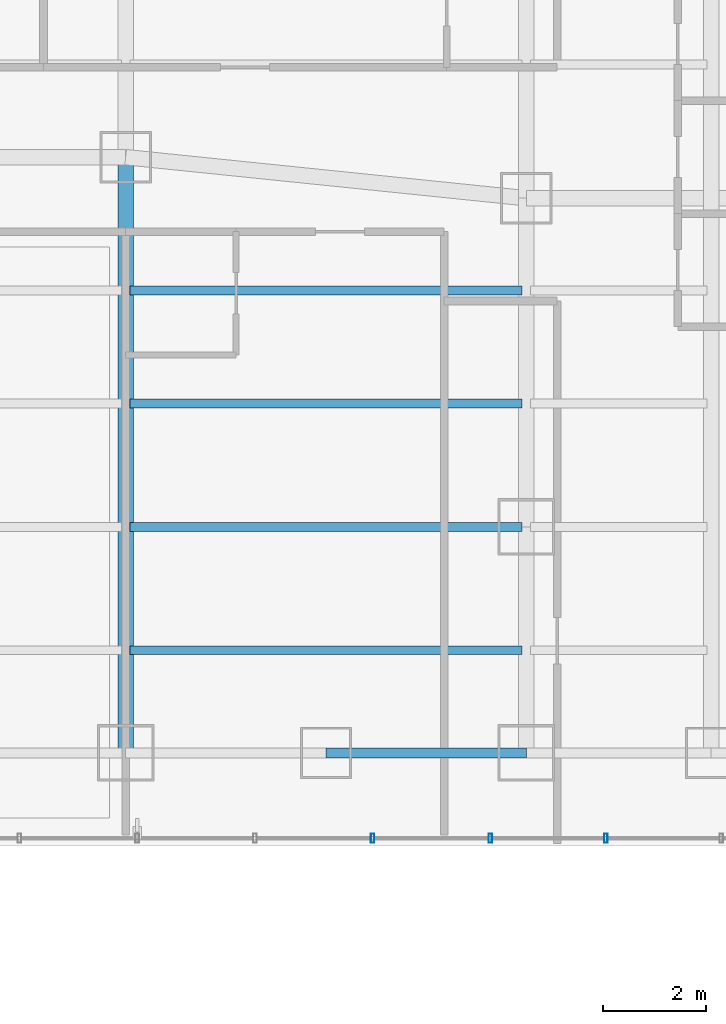
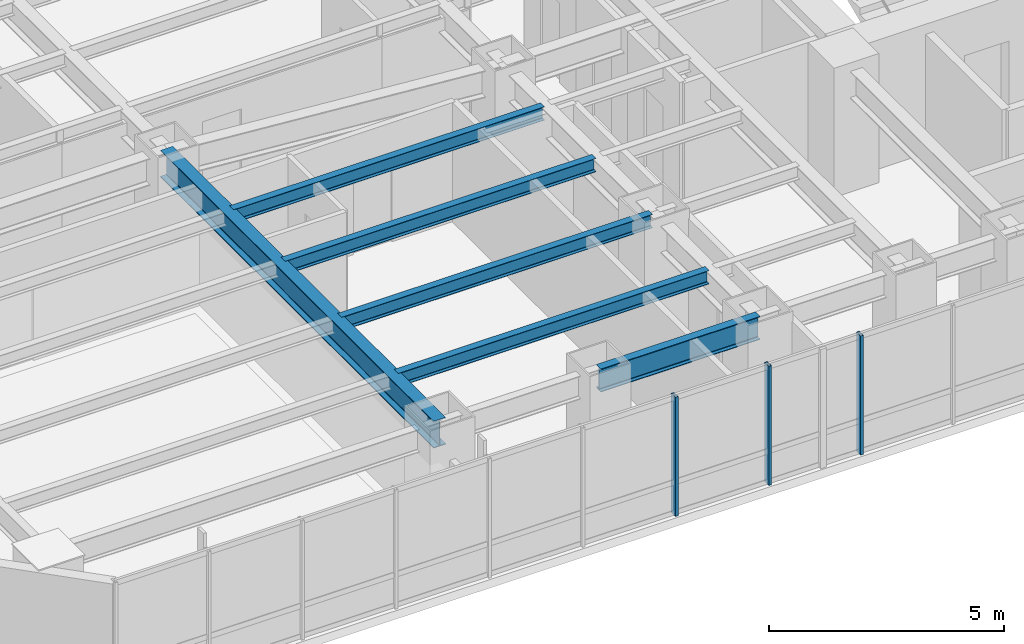
# One storey, part 6 of 39: 6 beams, 3 members, 2 elements without a shape of their own.
"""IFC4 building model written with IfcOpenShell, lengths in metres."""

from ifc_helpers import new_model, si_unit, direction, frame, origin, origin_2d, place, context, subcontext, project, spatial, hollow_rectangle, i_section, extrude, material, layer, layer_set, material_profile, profile_set, type_object, element, aggregate, save


model = new_model("IFC4")

# Units and contexts
model_context = context("Model", 3, precision=1e-05, world=origin(), true_north=direction((0.0, 1.0)))
body_context = subcontext(model_context, "Body", "Model", "MODEL_VIEW")
ifc_project = project(units=[si_unit("LENGTHUNIT", "METRE"), si_unit("AREAUNIT", "SQUARE_METRE"), si_unit("VOLUMEUNIT", "CUBIC_METRE"), si_unit("PLANEANGLEUNIT", "RADIAN"), si_unit("MASSUNIT", "GRAM", prefix="KILO")], contexts=[model_context])

# Site, building, storey
site_placement = place(None, origin())
site = spatial("IfcSite", under=ifc_project, at=site_placement, CompositionType="ELEMENT")
building_placement = place(site_placement, origin())
building = spatial("IfcBuilding", under=site, at=building_placement, Name="Hatsunagi Terrace Concourse", CompositionType="ELEMENT")
storey_placement = place(building_placement, frame((0.0, 0.0, 66.75)))
storey = spatial("IfcBuildingStorey", under=building, at=storey_placement, Name="L17", CompositionType="ELEMENT", Elevation=66.75)

# Curtain wall, members
ifc_material_1 = material(Name="Anodised Aluminium Alloy 6063-T5", Category="aluminium")
ifc_layer = layer(ifc_material_1, 0.199951171875)
ifc_layer_set = layer_set([ifc_layer], Name="HotelFacade_CW02")
curtain_wall_type = type_object("IfcCurtainWallType", Name="HotelFacade_CW02", PredefinedType="NOTDEFINED", material=ifc_layer_set)
curtain_wall_1_placement = place(storey_placement, origin())
curtain_wall_1 = element("IfcCurtainWall", 1, at=curtain_wall_1_placement, inside=storey, type_object=curtain_wall_type, Name="Unitised Curtain Wall CW-02 CW-L17-06", PredefinedType="NOTDEFINED")
ifc_material_2 = material(Name="Anodised Aluminium Alloy 6063-T5", Category="aluminium")
ifc_material_profile_1 = material_profile(ifc_material_2, hollow_rectangle(XDim=0.070068359375, YDim=0.179931640625, WallThickness=0.00390625, at=origin_2d()), Name="ALU-MUL-180x70x4")
ifc_profile_set_1 = profile_set([ifc_material_profile_1], Name="Anodised Aluminium Alloy 6063-T5")
member_type = type_object("IfcMemberType", Name="CurtainWallMullion_180x70", PredefinedType="MULLION", material=ifc_profile_set_1)
member_1_placement = place(storey_placement, frame((20.7490234375, 23.5400390625, 0.0), z_axis=(0.0, 0.0, 1.0), x_axis=(-1.0, 0.0, 0.0)))
member_1 = element("IfcMember", 2, at=member_1_placement, type_object=member_type, Name="Curtain Wall Mullion MUL-02", PredefinedType="MULLION", context=body_context, shape_type="SweptSolid", body=[
    extrude(hollow_rectangle(XDim=0.070068359375, YDim=0.179931640625, WallThickness=0.00390625, at=origin_2d()), origin(), (0.0, 0.0, 1.0), 3.090087890625),
])
member_2_placement = place(storey_placement, frame((18.5, 23.5400390625, 0.0), z_axis=(0.0, 0.0, 1.0), x_axis=(-1.0, 0.0, 0.0)))
member_2 = element("IfcMember", 3, at=member_2_placement, type_object=member_type, Name="Curtain Wall Mullion MUL-02", PredefinedType="MULLION", context=body_context, shape_type="SweptSolid", body=[
    extrude(hollow_rectangle(XDim=0.070068359375, YDim=0.179931640625, WallThickness=0.00390625, at=origin_2d()), origin(), (0.0, 0.0, 1.0), 3.090087890625),
])
aggregate(curtain_wall_1, [member_1, member_2])

# Curtain wall, member
curtain_wall_2_placement = place(storey_placement, origin())
curtain_wall_2 = element("IfcCurtainWall", 4, at=curtain_wall_2_placement, inside=storey, type_object=curtain_wall_type, Name="Unitised Curtain Wall CW-02 CW-L17-07", PredefinedType="NOTDEFINED")
member_3_placement = place(storey_placement, frame((16.2080078125, 23.5400390625, 0.0), z_axis=(0.0, 0.0, 1.0), x_axis=(-1.0, 0.0, 0.0)))
member_3 = element("IfcMember", 5, at=member_3_placement, type_object=member_type, Name="Curtain Wall Mullion MUL-02", PredefinedType="MULLION", context=body_context, shape_type="SweptSolid", body=[
    extrude(hollow_rectangle(XDim=0.070068359375, YDim=0.179931640625, WallThickness=0.00390625, at=origin_2d()), origin(), (0.0, 0.0, 1.0), 3.090087890625),
])
aggregate(curtain_wall_2, [member_3])

# Beams
ifc_material_3 = material(Name="Steel SN490B", Category="steel")
ifc_material_profile_2 = material_profile(ifc_material_3, i_section(OverallWidth=0.300048828125, OverallDepth=0.699951171875, WebThickness=0.012939453125, FlangeThickness=0.02392578125, FilletRadius=0.02197265625, at=origin_2d()), Name="H-700x300x13x24")
ifc_profile_set_2 = profile_set([ifc_material_profile_2], Name="Steel SN490B")
beam_type_1 = type_object("IfcBeamType", Name="HotelFloorGirder_H_700x300", PredefinedType="BEAM", material=ifc_profile_set_2)
beam_1_placement = place(storey_placement, frame((11.39990234375, 25.199951171875, 2.780029296875), z_axis=(0.0, 1.0, 0.0), x_axis=(-1.0, 0.0, 0.0)))
element("IfcBeam", 6, at=beam_1_placement, inside=storey, type_object=beam_type_1, Name="Beam G-04 BM-L17-NS-11-25", PredefinedType="BEAM", context=body_context, shape_type="SweptSolid", body=[
    extrude(i_section(OverallWidth=0.300048828125, OverallDepth=0.699951171875, WebThickness=0.012939453125, FlangeThickness=0.02392578125, FilletRadius=0.02197265625, at=origin_2d()), origin(), (0.0, 0.0, 1.0), 11.60009765625),
])
ifc_material_4 = material(Name="Steel SN490B", Category="steel")
ifc_material_profile_3 = material_profile(ifc_material_4, i_section(OverallWidth=0.175048828125, OverallDepth=0.35009765625, WebThickness=0.007080078125, FlangeThickness=0.010986328125, FilletRadius=0.012939453125, at=origin_2d()), Name="H-350x175x7x11")
ifc_profile_set_3 = profile_set([ifc_material_profile_3], Name="Steel SN490B")
beam_type_2 = type_object("IfcBeamType", Name="HotelJoist_H_350x175", PredefinedType="JOIST", material=ifc_profile_set_3)
for number, where, z_axis, x_axis, name in (
    (7, (11.485107421875, 27.199951171875, 2.955078125), (1.0, 0.0, 0.0), (0.0, 1.0, 0.0), "Beam J-02 J-L17-W-11-272"),
    (8, (11.485107421875, 29.60009765625, 2.955078125), (1.0, 0.0, 0.0), (0.0, 1.0, 0.0), "Beam J-02 J-L17-W-11-296"),
    (9, (11.485107421875, 32.0, 2.955078125), (1.0, 0.0, 0.0), (0.0, 1.0, 0.0), "Beam J-02 J-L17-W-11-320"),
    (10, (11.485107421875, 34.199951171875, 2.955078125), (1.0, 0.0, 0.0), (0.0, 1.0, 0.0), "Beam J-02 J-L17-W-11-342"),
):
    element("IfcBeam", number, at=place(storey_placement, frame(where, z_axis=z_axis, x_axis=x_axis)), inside=storey, type_object=beam_type_2, Name=name, PredefinedType="JOIST", context=body_context, shape_type="SweptSolid", body=[
        extrude(i_section(OverallWidth=0.175048828125, OverallDepth=0.35009765625, WebThickness=0.007080078125, FlangeThickness=0.010986328125, FilletRadius=0.012939453125, at=origin_2d()), origin(), (0.0, 0.0, 1.0), 7.6298828125),
    ])
ifc_material_5 = material(Name="Steel SN490B", Category="steel")
ifc_material_profile_4 = material_profile(ifc_material_5, i_section(OverallWidth=0.199951171875, OverallDepth=0.60009765625, WebThickness=0.010986328125, FlangeThickness=0.01708984375, FilletRadius=0.01806640625, at=origin_2d()), Name="H-600x200x11x17")
ifc_profile_set_4 = profile_set([ifc_material_profile_4], Name="Steel SN490B")
beam_type_3 = type_object("IfcBeamType", Name="PerimeterSpandrel_H_600x200", PredefinedType="SPANDREL", material=ifc_profile_set_4)
beam_2_placement = place(storey_placement, frame((15.300048828125, 25.199951171875, 2.830078125), z_axis=(1.0, 0.0, 0.0), x_axis=(0.0, 1.0, 0.0)))
element("IfcBeam", 11, at=beam_2_placement, inside=storey, type_object=beam_type_3, Name="Beam SP-01 BM-L17-WS-15", PredefinedType="SPANDREL", context=body_context, shape_type="SweptSolid", body=[
    extrude(i_section(OverallWidth=0.199951171875, OverallDepth=0.60009765625, WebThickness=0.010986328125, FlangeThickness=0.01708984375, FilletRadius=0.01806640625, at=origin_2d()), origin(), (0.0, 0.0, 1.0), 3.89990234375),
])

save(model, "model.ifc")
